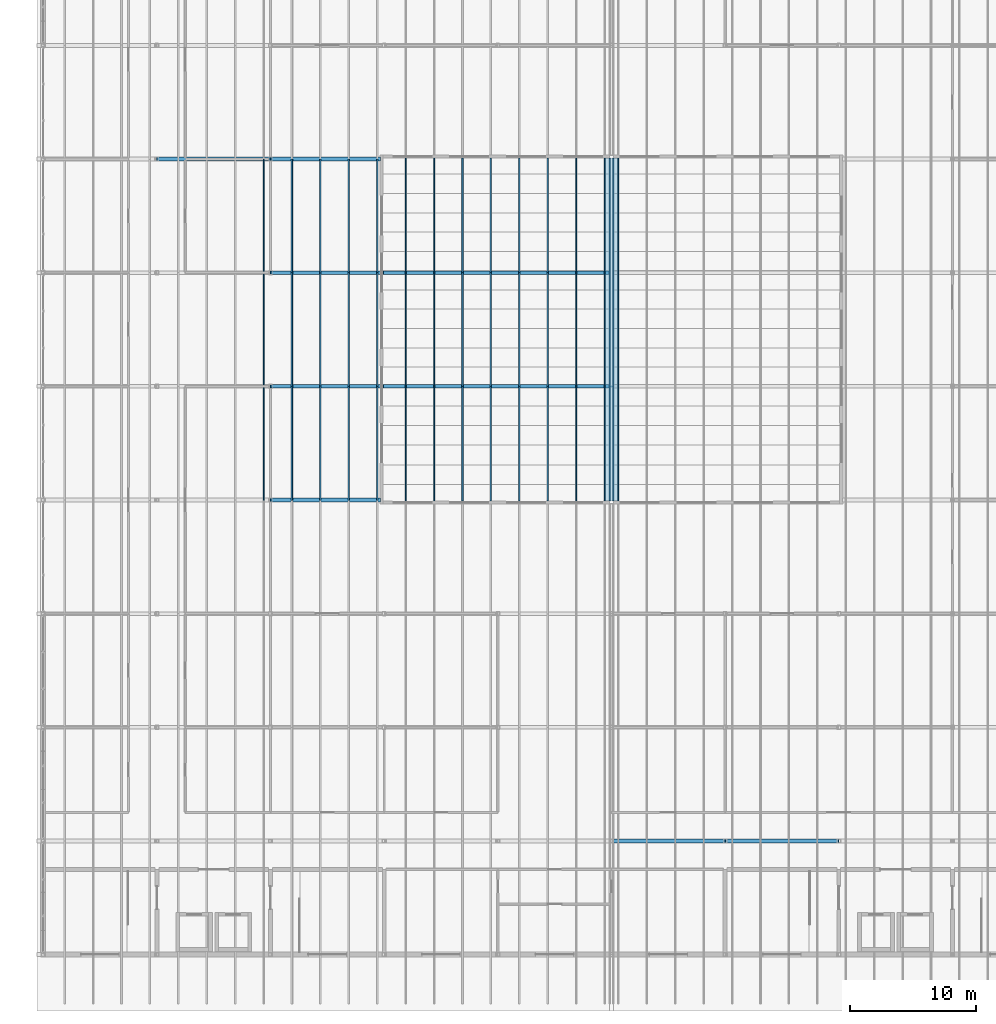
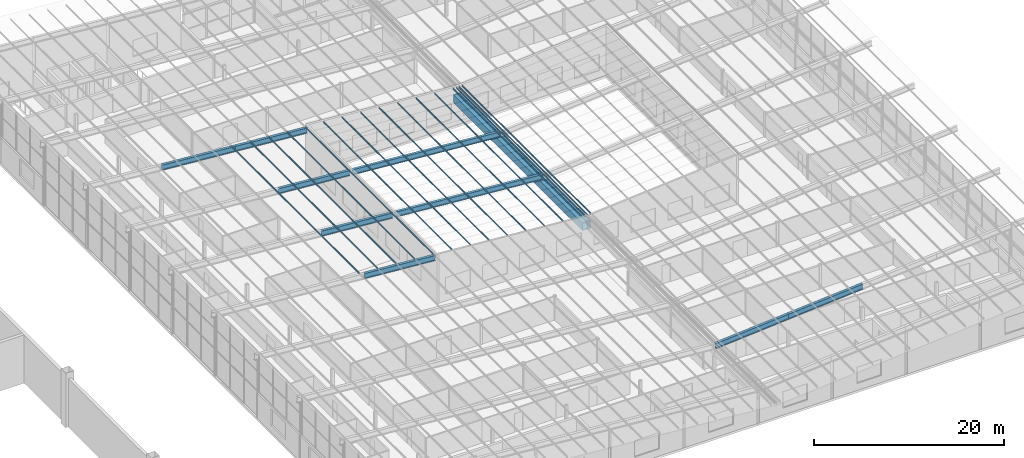
# One storey, part 40 of 85: 57 members, 1 beam.
"""IFC4 building model written with IfcOpenShell, lengths in metres."""

from ifc_helpers import new_model, si_unit, direction, frame, origin, origin_2d, place, context, subcontext, project, spatial, polyline, hollow_rectangle, i_section, outline, extrude, material, material_profile, profile_set, type_object, element, save


model = new_model("IFC4")

# Units and contexts
model_context = context("Model", 3, precision=1e-05, world=origin(), true_north=direction((0.0, 1.0)))
body_context = subcontext(model_context, "Body", "Model", "MODEL_VIEW")
ifc_project = project(units=[si_unit("LENGTHUNIT", "METRE"), si_unit("AREAUNIT", "SQUARE_METRE"), si_unit("VOLUMEUNIT", "CUBIC_METRE"), si_unit("PLANEANGLEUNIT", "RADIAN"), si_unit("MASSUNIT", "GRAM", prefix="KILO")], contexts=[model_context])

# Site, building, storey
site_placement = place(None, origin())
site = spatial("IfcSite", under=ifc_project, at=site_placement, CompositionType="ELEMENT")
building_placement = place(site_placement, origin())
building = spatial("IfcBuilding", under=site, at=building_placement, Name="Opaline Strait Convention Centre", CompositionType="ELEMENT")
storey_placement = place(building_placement, frame((0.0, 0.0, 17.0)))
storey = spatial("IfcBuildingStorey", under=building, at=storey_placement, Name="L03", CompositionType="ELEMENT", Elevation=17.0)

# Members
ifc_material = material(Name="Steel Q355B", Category="steel")
ifc_material_profile_1 = material_profile(ifc_material, outline(polyline([(-0.034912109375, -0.10009765625), (0.034912109375, -0.10009765625), (0.034912109375, -0.080078125), (0.032470703125, -0.080078125), (0.032470703125, -0.097412109375), (-0.032470703125, -0.097412109375), (-0.032470703125, 0.097412109375), (0.032470703125, 0.097412109375), (0.032470703125, 0.080078125), (0.034912109375, 0.080078125), (0.034912109375, 0.10009765625), (-0.034912109375, 0.10009765625), (-0.034912109375, -0.10009765625)])), Name="C 200x70x20x2.5")
ifc_profile_set_1 = profile_set([ifc_material_profile_1], Name="Steel Q355B")
member_type_1 = type_object("IfcMemberType", Name="Roof purlin C 200x70x20x2.5", PredefinedType="PURLIN", material=ifc_profile_set_1)
member_1_placement = place(storey_placement, frame((323.85009765625, 125.925048828125, 4.814208984375), z_axis=(0.0, 1.0, 0.0), x_axis=(-0.996917333733, 0.0, -0.078459095728)))
element("IfcMember", 1, at=member_1_placement, inside=storey, type_object=member_type_1, Name="MRP1 purlin W wing 5", PredefinedType="PURLIN", context=body_context, shape_type="SweptSolid", body=[
    extrude(outline(polyline([(-0.034912109375, -0.10009765625), (0.034912109375, -0.10009765625), (0.034912109375, -0.080078125), (0.032470703125, -0.080078125), (0.032470703125, -0.097412109375), (-0.032470703125, -0.097412109375), (-0.032470703125, 0.097412109375), (0.032470703125, 0.097412109375), (0.032470703125, 0.080078125), (0.034912109375, 0.080078125), (0.034912109375, 0.10009765625), (-0.034912109375, 0.10009765625), (-0.034912109375, -0.10009765625)])), origin(), (0.0, 0.0, 1.0), 9.074951171875),
])
member_2_placement = place(storey_placement, frame((323.85009765625, 135.0, 4.814208984375), z_axis=(0.0, 1.0, 0.0), x_axis=(-0.996917333733, 0.0, -0.078459095728)))
element("IfcMember", 2, at=member_2_placement, inside=storey, type_object=member_type_1, Name="MRP1 purlin W wing 6", PredefinedType="PURLIN", context=body_context, shape_type="SweptSolid", body=[
    extrude(outline(polyline([(-0.034912109375, -0.10009765625), (0.034912109375, -0.10009765625), (0.034912109375, -0.080078125), (0.032470703125, -0.080078125), (0.032470703125, -0.097412109375), (-0.032470703125, -0.097412109375), (-0.032470703125, 0.097412109375), (0.032470703125, 0.097412109375), (0.032470703125, 0.080078125), (0.034912109375, 0.080078125), (0.034912109375, 0.10009765625), (-0.034912109375, 0.10009765625), (-0.034912109375, -0.10009765625)])), origin(), (0.0, 0.0, 1.0), 9.0),
])
for number, where, z_axis, x_axis, name in (
    (3, (323.85009765625, 144.0, 4.814208984375), (0.0, 1.0, 0.0), (-0.996917333733, 0.0, -0.078459095728), "MRP1 purlin W wing 7"),
    (4, (323.449951171875, 125.925048828125, 4.845703125), (0.0, 1.0, 0.0), (-0.996917333733, 0.0, -0.078459095728), "MRP1 purlin W wing 15"),
):
    element("IfcMember", number, at=place(storey_placement, frame(where, z_axis=z_axis, x_axis=x_axis)), inside=storey, type_object=member_type_1, Name=name, PredefinedType="PURLIN", context=body_context, shape_type="SweptSolid", body=[
        extrude(outline(polyline([(-0.034912109375, -0.10009765625), (0.034912109375, -0.10009765625), (0.034912109375, -0.080078125), (0.032470703125, -0.080078125), (0.032470703125, -0.097412109375), (-0.032470703125, -0.097412109375), (-0.032470703125, 0.097412109375), (0.032470703125, 0.097412109375), (0.032470703125, 0.080078125), (0.034912109375, 0.080078125), (0.034912109375, 0.10009765625), (-0.034912109375, 0.10009765625), (-0.034912109375, -0.10009765625)])), origin(), (0.0, 0.0, 1.0), 9.074951171875),
    ])
member_3_placement = place(storey_placement, frame((323.449951171875, 135.0, 4.845703125), z_axis=(0.0, 1.0, 0.0), x_axis=(-0.996917333733, 0.0, -0.078459095728)))
element("IfcMember", 5, at=member_3_placement, inside=storey, type_object=member_type_1, Name="MRP1 purlin W wing 16", PredefinedType="PURLIN", context=body_context, shape_type="SweptSolid", body=[
    extrude(outline(polyline([(-0.034912109375, -0.10009765625), (0.034912109375, -0.10009765625), (0.034912109375, -0.080078125), (0.032470703125, -0.080078125), (0.032470703125, -0.097412109375), (-0.032470703125, -0.097412109375), (-0.032470703125, 0.097412109375), (0.032470703125, 0.097412109375), (0.032470703125, 0.080078125), (0.034912109375, 0.080078125), (0.034912109375, 0.10009765625), (-0.034912109375, 0.10009765625), (-0.034912109375, -0.10009765625)])), origin(), (0.0, 0.0, 1.0), 9.0),
])
for number, where, z_axis, x_axis, name in (
    (6, (323.449951171875, 144.0, 4.845703125), (0.0, 1.0, 0.0), (-0.996917333733, 0.0, -0.078459095728), "MRP1 purlin W wing 17"),
    (7, (321.199951171875, 125.925048828125, 5.02294921875), (0.0, 1.0, 0.0), (-0.996917333733, 0.0, -0.078459095728), "MRP1 purlin W wing 25"),
):
    element("IfcMember", number, at=place(storey_placement, frame(where, z_axis=z_axis, x_axis=x_axis)), inside=storey, type_object=member_type_1, Name=name, PredefinedType="PURLIN", context=body_context, shape_type="SweptSolid", body=[
        extrude(outline(polyline([(-0.034912109375, -0.10009765625), (0.034912109375, -0.10009765625), (0.034912109375, -0.080078125), (0.032470703125, -0.080078125), (0.032470703125, -0.097412109375), (-0.032470703125, -0.097412109375), (-0.032470703125, 0.097412109375), (0.032470703125, 0.097412109375), (0.032470703125, 0.080078125), (0.034912109375, 0.080078125), (0.034912109375, 0.10009765625), (-0.034912109375, 0.10009765625), (-0.034912109375, -0.10009765625)])), origin(), (0.0, 0.0, 1.0), 9.074951171875),
    ])
member_4_placement = place(storey_placement, frame((321.199951171875, 135.0, 5.02294921875), z_axis=(0.0, 1.0, 0.0), x_axis=(-0.996917333733, 0.0, -0.078459095728)))
element("IfcMember", 8, at=member_4_placement, inside=storey, type_object=member_type_1, Name="MRP1 purlin W wing 26", PredefinedType="PURLIN", context=body_context, shape_type="SweptSolid", body=[
    extrude(outline(polyline([(-0.034912109375, -0.10009765625), (0.034912109375, -0.10009765625), (0.034912109375, -0.080078125), (0.032470703125, -0.080078125), (0.032470703125, -0.097412109375), (-0.032470703125, -0.097412109375), (-0.032470703125, 0.097412109375), (0.032470703125, 0.097412109375), (0.032470703125, 0.080078125), (0.034912109375, 0.080078125), (0.034912109375, 0.10009765625), (-0.034912109375, 0.10009765625), (-0.034912109375, -0.10009765625)])), origin(), (0.0, 0.0, 1.0), 9.0),
])
for number, where, z_axis, x_axis, name in (
    (9, (321.199951171875, 144.0, 5.02294921875), (0.0, 1.0, 0.0), (-0.996917333733, 0.0, -0.078459095728), "MRP1 purlin W wing 27"),
    (10, (318.949951171875, 125.925048828125, 5.199951171875), (0.0, 1.0, 0.0), (-0.996917333733, 0.0, -0.078459095728), "MRP1 purlin W wing 35"),
):
    element("IfcMember", number, at=place(storey_placement, frame(where, z_axis=z_axis, x_axis=x_axis)), inside=storey, type_object=member_type_1, Name=name, PredefinedType="PURLIN", context=body_context, shape_type="SweptSolid", body=[
        extrude(outline(polyline([(-0.034912109375, -0.10009765625), (0.034912109375, -0.10009765625), (0.034912109375, -0.080078125), (0.032470703125, -0.080078125), (0.032470703125, -0.097412109375), (-0.032470703125, -0.097412109375), (-0.032470703125, 0.097412109375), (0.032470703125, 0.097412109375), (0.032470703125, 0.080078125), (0.034912109375, 0.080078125), (0.034912109375, 0.10009765625), (-0.034912109375, 0.10009765625), (-0.034912109375, -0.10009765625)])), origin(), (0.0, 0.0, 1.0), 9.074951171875),
    ])
member_5_placement = place(storey_placement, frame((318.949951171875, 135.0, 5.199951171875), z_axis=(0.0, 1.0, 0.0), x_axis=(-0.996917333733, 0.0, -0.078459095728)))
element("IfcMember", 11, at=member_5_placement, inside=storey, type_object=member_type_1, Name="MRP1 purlin W wing 36", PredefinedType="PURLIN", context=body_context, shape_type="SweptSolid", body=[
    extrude(outline(polyline([(-0.034912109375, -0.10009765625), (0.034912109375, -0.10009765625), (0.034912109375, -0.080078125), (0.032470703125, -0.080078125), (0.032470703125, -0.097412109375), (-0.032470703125, -0.097412109375), (-0.032470703125, 0.097412109375), (0.032470703125, 0.097412109375), (0.032470703125, 0.080078125), (0.034912109375, 0.080078125), (0.034912109375, 0.10009765625), (-0.034912109375, 0.10009765625), (-0.034912109375, -0.10009765625)])), origin(), (0.0, 0.0, 1.0), 9.0),
])
for number, where, z_axis, x_axis, name in (
    (12, (318.949951171875, 144.0, 5.199951171875), (0.0, 1.0, 0.0), (-0.996917333733, 0.0, -0.078459095728), "MRP1 purlin W wing 37"),
    (13, (316.699951171875, 125.925048828125, 5.376953125), (0.0, 1.0, 0.0), (-0.996917333733, 0.0, -0.078459095728), "MRP1 purlin W wing 45"),
):
    element("IfcMember", number, at=place(storey_placement, frame(where, z_axis=z_axis, x_axis=x_axis)), inside=storey, type_object=member_type_1, Name=name, PredefinedType="PURLIN", context=body_context, shape_type="SweptSolid", body=[
        extrude(outline(polyline([(-0.034912109375, -0.10009765625), (0.034912109375, -0.10009765625), (0.034912109375, -0.080078125), (0.032470703125, -0.080078125), (0.032470703125, -0.097412109375), (-0.032470703125, -0.097412109375), (-0.032470703125, 0.097412109375), (0.032470703125, 0.097412109375), (0.032470703125, 0.080078125), (0.034912109375, 0.080078125), (0.034912109375, 0.10009765625), (-0.034912109375, 0.10009765625), (-0.034912109375, -0.10009765625)])), origin(), (0.0, 0.0, 1.0), 9.074951171875),
    ])
member_6_placement = place(storey_placement, frame((316.699951171875, 135.0, 5.376953125), z_axis=(0.0, 1.0, 0.0), x_axis=(-0.996917333733, 0.0, -0.078459095728)))
element("IfcMember", 14, at=member_6_placement, inside=storey, type_object=member_type_1, Name="MRP1 purlin W wing 46", PredefinedType="PURLIN", context=body_context, shape_type="SweptSolid", body=[
    extrude(outline(polyline([(-0.034912109375, -0.10009765625), (0.034912109375, -0.10009765625), (0.034912109375, -0.080078125), (0.032470703125, -0.080078125), (0.032470703125, -0.097412109375), (-0.032470703125, -0.097412109375), (-0.032470703125, 0.097412109375), (0.032470703125, 0.097412109375), (0.032470703125, 0.080078125), (0.034912109375, 0.080078125), (0.034912109375, 0.10009765625), (-0.034912109375, 0.10009765625), (-0.034912109375, -0.10009765625)])), origin(), (0.0, 0.0, 1.0), 9.0),
])
for number, where, z_axis, x_axis, name in (
    (15, (316.699951171875, 144.0, 5.376953125), (0.0, 1.0, 0.0), (-0.996917333733, 0.0, -0.078459095728), "MRP1 purlin W wing 47"),
    (16, (314.449951171875, 125.925048828125, 5.553955078125), (0.0, 1.0, 0.0), (-0.996917333733, 0.0, -0.078459095728), "MRP1 purlin W wing 55"),
):
    element("IfcMember", number, at=place(storey_placement, frame(where, z_axis=z_axis, x_axis=x_axis)), inside=storey, type_object=member_type_1, Name=name, PredefinedType="PURLIN", context=body_context, shape_type="SweptSolid", body=[
        extrude(outline(polyline([(-0.034912109375, -0.10009765625), (0.034912109375, -0.10009765625), (0.034912109375, -0.080078125), (0.032470703125, -0.080078125), (0.032470703125, -0.097412109375), (-0.032470703125, -0.097412109375), (-0.032470703125, 0.097412109375), (0.032470703125, 0.097412109375), (0.032470703125, 0.080078125), (0.034912109375, 0.080078125), (0.034912109375, 0.10009765625), (-0.034912109375, 0.10009765625), (-0.034912109375, -0.10009765625)])), origin(), (0.0, 0.0, 1.0), 9.074951171875),
    ])
member_7_placement = place(storey_placement, frame((314.449951171875, 135.0, 5.553955078125), z_axis=(0.0, 1.0, 0.0), x_axis=(-0.996917333733, 0.0, -0.078459095728)))
element("IfcMember", 17, at=member_7_placement, inside=storey, type_object=member_type_1, Name="MRP1 purlin W wing 56", PredefinedType="PURLIN", context=body_context, shape_type="SweptSolid", body=[
    extrude(outline(polyline([(-0.034912109375, -0.10009765625), (0.034912109375, -0.10009765625), (0.034912109375, -0.080078125), (0.032470703125, -0.080078125), (0.032470703125, -0.097412109375), (-0.032470703125, -0.097412109375), (-0.032470703125, 0.097412109375), (0.032470703125, 0.097412109375), (0.032470703125, 0.080078125), (0.034912109375, 0.080078125), (0.034912109375, 0.10009765625), (-0.034912109375, 0.10009765625), (-0.034912109375, -0.10009765625)])), origin(), (0.0, 0.0, 1.0), 9.0),
])
for number, where, z_axis, x_axis, name in (
    (18, (314.449951171875, 144.0, 5.553955078125), (0.0, 1.0, 0.0), (-0.996917333733, 0.0, -0.078459095728), "MRP1 purlin W wing 57"),
    (19, (312.199951171875, 125.925048828125, 5.731201171875), (0.0, 1.0, 0.0), (-0.996917333733, 0.0, -0.078459095728), "MRP1 purlin W wing 65"),
):
    element("IfcMember", number, at=place(storey_placement, frame(where, z_axis=z_axis, x_axis=x_axis)), inside=storey, type_object=member_type_1, Name=name, PredefinedType="PURLIN", context=body_context, shape_type="SweptSolid", body=[
        extrude(outline(polyline([(-0.034912109375, -0.10009765625), (0.034912109375, -0.10009765625), (0.034912109375, -0.080078125), (0.032470703125, -0.080078125), (0.032470703125, -0.097412109375), (-0.032470703125, -0.097412109375), (-0.032470703125, 0.097412109375), (0.032470703125, 0.097412109375), (0.032470703125, 0.080078125), (0.034912109375, 0.080078125), (0.034912109375, 0.10009765625), (-0.034912109375, 0.10009765625), (-0.034912109375, -0.10009765625)])), origin(), (0.0, 0.0, 1.0), 9.074951171875),
    ])
member_8_placement = place(storey_placement, frame((312.199951171875, 135.0, 5.731201171875), z_axis=(0.0, 1.0, 0.0), x_axis=(-0.996917333733, 0.0, -0.078459095728)))
element("IfcMember", 20, at=member_8_placement, inside=storey, type_object=member_type_1, Name="MRP1 purlin W wing 66", PredefinedType="PURLIN", context=body_context, shape_type="SweptSolid", body=[
    extrude(outline(polyline([(-0.034912109375, -0.10009765625), (0.034912109375, -0.10009765625), (0.034912109375, -0.080078125), (0.032470703125, -0.080078125), (0.032470703125, -0.097412109375), (-0.032470703125, -0.097412109375), (-0.032470703125, 0.097412109375), (0.032470703125, 0.097412109375), (0.032470703125, 0.080078125), (0.034912109375, 0.080078125), (0.034912109375, 0.10009765625), (-0.034912109375, 0.10009765625), (-0.034912109375, -0.10009765625)])), origin(), (0.0, 0.0, 1.0), 9.0),
])
for number, where, z_axis, x_axis, name in (
    (21, (312.199951171875, 144.0, 5.731201171875), (0.0, 1.0, 0.0), (-0.996917333733, 0.0, -0.078459095728), "MRP1 purlin W wing 67"),
    (22, (309.949951171875, 125.925048828125, 5.908203125), (0.0, 1.0, 0.0), (-0.996917333733, 0.0, -0.078459095728), "MRP1 purlin W wing 75"),
):
    element("IfcMember", number, at=place(storey_placement, frame(where, z_axis=z_axis, x_axis=x_axis)), inside=storey, type_object=member_type_1, Name=name, PredefinedType="PURLIN", context=body_context, shape_type="SweptSolid", body=[
        extrude(outline(polyline([(-0.034912109375, -0.10009765625), (0.034912109375, -0.10009765625), (0.034912109375, -0.080078125), (0.032470703125, -0.080078125), (0.032470703125, -0.097412109375), (-0.032470703125, -0.097412109375), (-0.032470703125, 0.097412109375), (0.032470703125, 0.097412109375), (0.032470703125, 0.080078125), (0.034912109375, 0.080078125), (0.034912109375, 0.10009765625), (-0.034912109375, 0.10009765625), (-0.034912109375, -0.10009765625)])), origin(), (0.0, 0.0, 1.0), 9.074951171875),
    ])
member_9_placement = place(storey_placement, frame((309.949951171875, 135.0, 5.908203125), z_axis=(0.0, 1.0, 0.0), x_axis=(-0.996917333733, 0.0, -0.078459095728)))
element("IfcMember", 23, at=member_9_placement, inside=storey, type_object=member_type_1, Name="MRP1 purlin W wing 76", PredefinedType="PURLIN", context=body_context, shape_type="SweptSolid", body=[
    extrude(outline(polyline([(-0.034912109375, -0.10009765625), (0.034912109375, -0.10009765625), (0.034912109375, -0.080078125), (0.032470703125, -0.080078125), (0.032470703125, -0.097412109375), (-0.032470703125, -0.097412109375), (-0.032470703125, 0.097412109375), (0.032470703125, 0.097412109375), (0.032470703125, 0.080078125), (0.034912109375, 0.080078125), (0.034912109375, 0.10009765625), (-0.034912109375, 0.10009765625), (-0.034912109375, -0.10009765625)])), origin(), (0.0, 0.0, 1.0), 9.0),
])
for number, where, z_axis, x_axis, name in (
    (24, (309.949951171875, 144.0, 5.908203125), (0.0, 1.0, 0.0), (-0.996917333733, 0.0, -0.078459095728), "MRP1 purlin W wing 77"),
    (25, (307.699951171875, 125.925048828125, 6.085205078125), (0.0, 1.0, 0.0), (-0.996917333733, 0.0, -0.078459095728), "MRP1 purlin W wing 85"),
):
    element("IfcMember", number, at=place(storey_placement, frame(where, z_axis=z_axis, x_axis=x_axis)), inside=storey, type_object=member_type_1, Name=name, PredefinedType="PURLIN", context=body_context, shape_type="SweptSolid", body=[
        extrude(outline(polyline([(-0.034912109375, -0.10009765625), (0.034912109375, -0.10009765625), (0.034912109375, -0.080078125), (0.032470703125, -0.080078125), (0.032470703125, -0.097412109375), (-0.032470703125, -0.097412109375), (-0.032470703125, 0.097412109375), (0.032470703125, 0.097412109375), (0.032470703125, 0.080078125), (0.034912109375, 0.080078125), (0.034912109375, 0.10009765625), (-0.034912109375, 0.10009765625), (-0.034912109375, -0.10009765625)])), origin(), (0.0, 0.0, 1.0), 9.074951171875),
    ])
member_10_placement = place(storey_placement, frame((307.699951171875, 135.0, 6.085205078125), z_axis=(0.0, 1.0, 0.0), x_axis=(-0.996917333733, 0.0, -0.078459095728)))
element("IfcMember", 26, at=member_10_placement, inside=storey, type_object=member_type_1, Name="MRP1 purlin W wing 86", PredefinedType="PURLIN", context=body_context, shape_type="SweptSolid", body=[
    extrude(outline(polyline([(-0.034912109375, -0.10009765625), (0.034912109375, -0.10009765625), (0.034912109375, -0.080078125), (0.032470703125, -0.080078125), (0.032470703125, -0.097412109375), (-0.032470703125, -0.097412109375), (-0.032470703125, 0.097412109375), (0.032470703125, 0.097412109375), (0.032470703125, 0.080078125), (0.034912109375, 0.080078125), (0.034912109375, 0.10009765625), (-0.034912109375, 0.10009765625), (-0.034912109375, -0.10009765625)])), origin(), (0.0, 0.0, 1.0), 9.0),
])
member_11_placement = place(storey_placement, frame((307.699951171875, 144.0, 6.085205078125), z_axis=(0.0, 1.0, 0.0), x_axis=(-0.996917333733, 0.0, -0.078459095728)))
element("IfcMember", 27, at=member_11_placement, inside=storey, type_object=member_type_1, Name="MRP1 purlin W wing 87", PredefinedType="PURLIN", context=body_context, shape_type="SweptSolid", body=[
    extrude(outline(polyline([(-0.034912109375, -0.10009765625), (0.034912109375, -0.10009765625), (0.034912109375, -0.080078125), (0.032470703125, -0.080078125), (0.032470703125, -0.097412109375), (-0.032470703125, -0.097412109375), (-0.032470703125, 0.097412109375), (0.032470703125, 0.097412109375), (0.032470703125, 0.080078125), (0.034912109375, 0.080078125), (0.034912109375, 0.10009765625), (-0.034912109375, 0.10009765625), (-0.034912109375, -0.10009765625)])), origin(), (0.0, 0.0, 1.0), 9.074951171875),
])
for number, where, z_axis, x_axis, name in (
    (28, (305.449951171875, 126.0, 6.262451171875), (0.0, 1.0, 0.0), (-0.996917333733, 0.0, -0.078459095728), "MRP1 purlin W wing 95"),
    (29, (305.449951171875, 135.0, 6.262451171875), (0.0, 1.0, 0.0), (-0.996917333733, 0.0, -0.078459095728), "MRP1 purlin W wing 96"),
    (30, (305.449951171875, 144.0, 6.262451171875), (0.0, 1.0, 0.0), (-0.996917333733, 0.0, -0.078459095728), "MRP1 purlin W wing 97"),
    (31, (303.199951171875, 126.0, 6.439453125), (0.0, 1.0, 0.0), (-0.996917333733, 0.0, -0.078459095728), "MRP1 purlin W wing 105"),
    (32, (303.199951171875, 135.0, 6.439453125), (0.0, 1.0, 0.0), (-0.996917333733, 0.0, -0.078459095728), "MRP1 purlin W wing 106"),
    (33, (303.199951171875, 144.0, 6.439453125), (0.0, 1.0, 0.0), (-0.996917333733, 0.0, -0.078459095728), "MRP1 purlin W wing 107"),
    (34, (300.949951171875, 126.0, 6.616455078125), (0.0, 1.0, 0.0), (-0.996917333733, 0.0, -0.078459095728), "MRP1 purlin W wing 115"),
    (35, (300.949951171875, 135.0, 6.616455078125), (0.0, 1.0, 0.0), (-0.996917333733, 0.0, -0.078459095728), "MRP1 purlin W wing 116"),
    (36, (300.949951171875, 144.0, 6.616455078125), (0.0, 1.0, 0.0), (-0.996917333733, 0.0, -0.078459095728), "MRP1 purlin W wing 117"),
    (37, (298.699951171875, 126.0, 6.793701171875), (0.0, 1.0, 0.0), (-0.996917333733, 0.0, -0.078459095728), "MRP1 purlin W wing 125"),
    (38, (298.699951171875, 135.0, 6.793701171875), (0.0, 1.0, 0.0), (-0.996917333733, 0.0, -0.078459095728), "MRP1 purlin W wing 126"),
    (39, (298.699951171875, 144.0, 6.793701171875), (0.0, 1.0, 0.0), (-0.996917333733, 0.0, -0.078459095728), "MRP1 purlin W wing 127"),
    (40, (296.449951171875, 126.0, 6.970703125), (0.0, 1.0, 0.0), (-0.996917333733, 0.0, -0.078459095728), "MRP1 purlin W wing 135"),
    (41, (296.449951171875, 135.0, 6.970703125), (0.0, 1.0, 0.0), (-0.996917333733, 0.0, -0.078459095728), "MRP1 purlin W wing 136"),
    (42, (296.449951171875, 144.0, 6.970703125), (0.0, 1.0, 0.0), (-0.996917333733, 0.0, -0.078459095728), "MRP1 purlin W wing 137"),
):
    element("IfcMember", number, at=place(storey_placement, frame(where, z_axis=z_axis, x_axis=x_axis)), inside=storey, type_object=member_type_1, Name=name, PredefinedType="PURLIN", context=body_context, shape_type="SweptSolid", body=[
        extrude(outline(polyline([(-0.034912109375, -0.10009765625), (0.034912109375, -0.10009765625), (0.034912109375, -0.080078125), (0.032470703125, -0.080078125), (0.032470703125, -0.097412109375), (-0.032470703125, -0.097412109375), (-0.032470703125, 0.097412109375), (0.032470703125, 0.097412109375), (0.032470703125, 0.080078125), (0.034912109375, 0.080078125), (0.034912109375, 0.10009765625), (-0.034912109375, 0.10009765625), (-0.034912109375, -0.10009765625)])), origin(), (0.0, 0.0, 1.0), 9.0),
    ])
member_12_placement = place(storey_placement, frame((324.14990234375, 125.925048828125, 4.814208984375), z_axis=(0.0, 1.0, 0.0), x_axis=(-0.996917333733, 0.0, 0.078459095728)))
element("IfcMember", 43, at=member_12_placement, inside=storey, type_object=member_type_1, Name="MRP1 purlin E wing 215", PredefinedType="PURLIN", context=body_context, shape_type="SweptSolid", body=[
    extrude(outline(polyline([(-0.034912109375, -0.10009765625), (0.034912109375, -0.10009765625), (0.034912109375, -0.080078125), (0.032470703125, -0.080078125), (0.032470703125, -0.097412109375), (-0.032470703125, -0.097412109375), (-0.032470703125, 0.097412109375), (0.032470703125, 0.097412109375), (0.032470703125, 0.080078125), (0.034912109375, 0.080078125), (0.034912109375, 0.10009765625), (-0.034912109375, 0.10009765625), (-0.034912109375, -0.10009765625)])), origin(), (0.0, 0.0, 1.0), 9.074951171875),
])
member_13_placement = place(storey_placement, frame((324.14990234375, 135.0, 4.814208984375), z_axis=(0.0, 1.0, 0.0), x_axis=(-0.996917333733, 0.0, 0.078459095728)))
element("IfcMember", 44, at=member_13_placement, inside=storey, type_object=member_type_1, Name="MRP1 purlin E wing 216", PredefinedType="PURLIN", context=body_context, shape_type="SweptSolid", body=[
    extrude(outline(polyline([(-0.034912109375, -0.10009765625), (0.034912109375, -0.10009765625), (0.034912109375, -0.080078125), (0.032470703125, -0.080078125), (0.032470703125, -0.097412109375), (-0.032470703125, -0.097412109375), (-0.032470703125, 0.097412109375), (0.032470703125, 0.097412109375), (0.032470703125, 0.080078125), (0.034912109375, 0.080078125), (0.034912109375, 0.10009765625), (-0.034912109375, 0.10009765625), (-0.034912109375, -0.10009765625)])), origin(), (0.0, 0.0, 1.0), 9.0),
])
for number, where, z_axis, x_axis, name in (
    (45, (324.14990234375, 144.0, 4.814208984375), (0.0, 1.0, 0.0), (-0.996917333733, 0.0, 0.078459095728), "MRP1 purlin E wing 217"),
    (46, (324.550048828125, 125.925048828125, 4.845703125), (0.0, 1.0, 0.0), (-0.996917333733, 0.0, 0.078459095728), "MRP1 purlin E wing 225"),
):
    element("IfcMember", number, at=place(storey_placement, frame(where, z_axis=z_axis, x_axis=x_axis)), inside=storey, type_object=member_type_1, Name=name, PredefinedType="PURLIN", context=body_context, shape_type="SweptSolid", body=[
        extrude(outline(polyline([(-0.034912109375, -0.10009765625), (0.034912109375, -0.10009765625), (0.034912109375, -0.080078125), (0.032470703125, -0.080078125), (0.032470703125, -0.097412109375), (-0.032470703125, -0.097412109375), (-0.032470703125, 0.097412109375), (0.032470703125, 0.097412109375), (0.032470703125, 0.080078125), (0.034912109375, 0.080078125), (0.034912109375, 0.10009765625), (-0.034912109375, 0.10009765625), (-0.034912109375, -0.10009765625)])), origin(), (0.0, 0.0, 1.0), 9.074951171875),
    ])
member_14_placement = place(storey_placement, frame((324.550048828125, 135.0, 4.845703125), z_axis=(0.0, 1.0, 0.0), x_axis=(-0.996917333733, 0.0, 0.078459095728)))
element("IfcMember", 47, at=member_14_placement, inside=storey, type_object=member_type_1, Name="MRP1 purlin E wing 226", PredefinedType="PURLIN", context=body_context, shape_type="SweptSolid", body=[
    extrude(outline(polyline([(-0.034912109375, -0.10009765625), (0.034912109375, -0.10009765625), (0.034912109375, -0.080078125), (0.032470703125, -0.080078125), (0.032470703125, -0.097412109375), (-0.032470703125, -0.097412109375), (-0.032470703125, 0.097412109375), (0.032470703125, 0.097412109375), (0.032470703125, 0.080078125), (0.034912109375, 0.080078125), (0.034912109375, 0.10009765625), (-0.034912109375, 0.10009765625), (-0.034912109375, -0.10009765625)])), origin(), (0.0, 0.0, 1.0), 9.0),
])
member_15_placement = place(storey_placement, frame((324.550048828125, 144.0, 4.845703125), z_axis=(0.0, 1.0, 0.0), x_axis=(-0.996917333733, 0.0, 0.078459095728)))
element("IfcMember", 48, at=member_15_placement, inside=storey, type_object=member_type_1, Name="MRP1 purlin E wing 227", PredefinedType="PURLIN", context=body_context, shape_type="SweptSolid", body=[
    extrude(outline(polyline([(-0.034912109375, -0.10009765625), (0.034912109375, -0.10009765625), (0.034912109375, -0.080078125), (0.032470703125, -0.080078125), (0.032470703125, -0.097412109375), (-0.032470703125, -0.097412109375), (-0.032470703125, 0.097412109375), (0.032470703125, 0.097412109375), (0.032470703125, 0.080078125), (0.034912109375, 0.080078125), (0.034912109375, 0.10009765625), (-0.034912109375, 0.10009765625), (-0.034912109375, -0.10009765625)])), origin(), (0.0, 0.0, 1.0), 9.074951171875),
])
ifc_material_profile_2 = material_profile(ifc_material, i_section(OverallWidth=0.300048828125, OverallDepth=0.699951171875, WebThickness=0.012939453125, FlangeThickness=0.02392578125, FilletRadius=0.01806640625, at=origin_2d()), Name="HN 700x300x13x24")
ifc_profile_set_2 = profile_set([ifc_material_profile_2], Name="Steel Q355B")
member_type_2 = type_object("IfcMemberType", Name="Roof rafter HN 700x300x13x24", PredefinedType="RAFTER", material=ifc_profile_set_2)
member_16_placement = place(storey_placement, frame((324.10009765625, 99.0, 4.35888671875), z_axis=(0.996917316665, 0.0, 0.0784593126), x_axis=(0.0, 1.0, 0.0)))
element("IfcMember", 49, at=member_16_placement, inside=storey, type_object=member_type_2, Name="MRR1 rafter y 99", PredefinedType="RAFTER", context=body_context, shape_type="SweptSolid", body=[
    extrude(i_section(OverallWidth=0.300048828125, OverallDepth=0.699951171875, WebThickness=0.012939453125, FlangeThickness=0.02392578125, FilletRadius=0.01806640625, at=origin_2d()), origin(), (0.0, 0.0, 1.0), 8.927490234375),
])
member_17_placement = place(storey_placement, frame((333.0, 99.0, 5.059326171875), z_axis=(0.99691576767, 0.0, 0.07847899191), x_axis=(0.0, 1.0, 0.0)))
element("IfcMember", 50, at=member_17_placement, inside=storey, type_object=member_type_2, Name="MRR1 rafter y 99", PredefinedType="RAFTER", context=body_context, shape_type="SweptSolid", body=[
    extrude(i_section(OverallWidth=0.300048828125, OverallDepth=0.699951171875, WebThickness=0.012939453125, FlangeThickness=0.02392578125, FilletRadius=0.01806640625, at=origin_2d()), origin(), (0.0, 0.0, 1.0), 9.02783203125),
])
for number, where, z_axis, x_axis, name in (
    (51, (297.0, 126.0, 6.47607421875), (0.996916253409, 0.0, -0.078472821343), (0.0, 1.0, 0.0), "MRR1 rafter y 126"),
    (52, (297.0, 135.0, 6.47607421875), (0.996916253409, 0.0, -0.078472821343), (0.0, 1.0, 0.0), "MRR1 rafter y 135"),
):
    element("IfcMember", number, at=place(storey_placement, frame(where, z_axis=z_axis, x_axis=x_axis)), inside=storey, type_object=member_type_2, Name=name, PredefinedType="RAFTER", context=body_context, shape_type="SweptSolid", body=[
        extrude(i_section(OverallWidth=0.300048828125, OverallDepth=0.699951171875, WebThickness=0.012939453125, FlangeThickness=0.02392578125, FilletRadius=0.01806640625, at=origin_2d()), origin(), (0.0, 0.0, 1.0), 8.701904296875),
    ])
member_18_placement = place(storey_placement, frame((305.925048828125, 135.0, 5.773681640625), z_axis=(0.996916712186, 0.0, -0.07846699283), x_axis=(0.0, 1.0, 0.0)))
element("IfcMember", 53, at=member_18_placement, inside=storey, type_object=member_type_2, Name="MRR1 rafter y 135", PredefinedType="RAFTER", context=body_context, shape_type="SweptSolid", body=[
    extrude(i_section(OverallWidth=0.300048828125, OverallDepth=0.699951171875, WebThickness=0.012939453125, FlangeThickness=0.02392578125, FilletRadius=0.01806640625, at=origin_2d()), origin(), (0.0, 0.0, 1.0), 18.030517578125),
])
member_19_placement = place(storey_placement, frame((297.0, 144.0, 6.47607421875), z_axis=(0.996916253409, 0.0, -0.078472821343), x_axis=(0.0, 1.0, 0.0)))
element("IfcMember", 54, at=member_19_placement, inside=storey, type_object=member_type_2, Name="MRR1 rafter y 144", PredefinedType="RAFTER", context=body_context, shape_type="SweptSolid", body=[
    extrude(i_section(OverallWidth=0.300048828125, OverallDepth=0.699951171875, WebThickness=0.012939453125, FlangeThickness=0.02392578125, FilletRadius=0.01806640625, at=origin_2d()), origin(), (0.0, 0.0, 1.0), 8.701904296875),
])
member_20_placement = place(storey_placement, frame((305.925048828125, 144.0, 5.773681640625), z_axis=(0.996916712186, 0.0, -0.07846699283), x_axis=(0.0, 1.0, 0.0)))
element("IfcMember", 55, at=member_20_placement, inside=storey, type_object=member_type_2, Name="MRR1 rafter y 144", PredefinedType="RAFTER", context=body_context, shape_type="SweptSolid", body=[
    extrude(i_section(OverallWidth=0.300048828125, OverallDepth=0.699951171875, WebThickness=0.012939453125, FlangeThickness=0.02392578125, FilletRadius=0.01806640625, at=origin_2d()), origin(), (0.0, 0.0, 1.0), 18.030517578125),
])
member_21_placement = place(storey_placement, frame((288.0, 153.0, 7.184326171875), z_axis=(0.996917883079, 0.0, -0.078452115311), x_axis=(0.0, 1.0, 0.0)))
element("IfcMember", 56, at=member_21_placement, inside=storey, type_object=member_type_2, Name="MRR1 rafter y 153", PredefinedType="RAFTER", context=body_context, shape_type="SweptSolid", body=[
    extrude(i_section(OverallWidth=0.300048828125, OverallDepth=0.699951171875, WebThickness=0.012939453125, FlangeThickness=0.02392578125, FilletRadius=0.01806640625, at=origin_2d()), origin(), (0.0, 0.0, 1.0), 9.02783203125),
])
member_22_placement = place(storey_placement, frame((297.0, 153.0, 6.47607421875), z_axis=(0.996916253409, 0.0, -0.078472821343), x_axis=(0.0, 1.0, 0.0)))
element("IfcMember", 57, at=member_22_placement, inside=storey, type_object=member_type_2, Name="MRR1 rafter y 153", PredefinedType="RAFTER", context=body_context, shape_type="SweptSolid", body=[
    extrude(i_section(OverallWidth=0.300048828125, OverallDepth=0.699951171875, WebThickness=0.012939453125, FlangeThickness=0.02392578125, FilletRadius=0.01806640625, at=origin_2d()), origin(), (0.0, 0.0, 1.0), 8.701904296875),
])

# Beam
ifc_material_profile_3 = material_profile(ifc_material, hollow_rectangle(XDim=1.0, YDim=1.0, WallThickness=0.031982421875, at=origin_2d()), Name="BOX 1000x1000x32")
ifc_profile_set_3 = profile_set([ifc_material_profile_3], Name="Steel Q355B")
beam_type = type_object("IfcBeamType", Name="Valley girder BOX 1000x1000x32", PredefinedType="BEAM", material=ifc_profile_set_3)
beam_placement = place(storey_placement, frame((324.0, 125.925048828125, 3.511962890625), z_axis=(0.0, 1.0, 0.0), x_axis=(-1.0, 0.0, 0.0)))
element("IfcBeam", 58, at=beam_placement, inside=storey, type_object=beam_type, Name="MVB2 valley girder over the atrium", PredefinedType="BEAM", context=body_context, shape_type="SweptSolid", body=[
    extrude(hollow_rectangle(XDim=1.0, YDim=1.0, WallThickness=0.031982421875, at=origin_2d()), origin(), (0.0, 0.0, 1.0), 27.14990234375),
])

save(model, "model.ifc")
